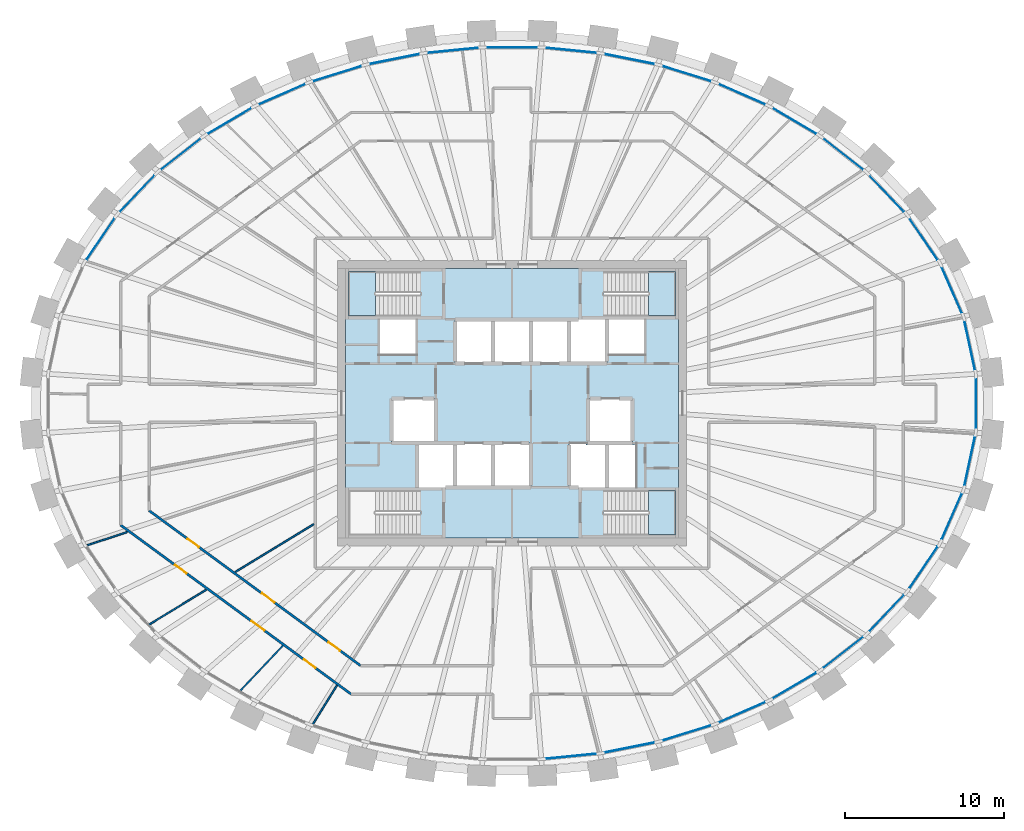
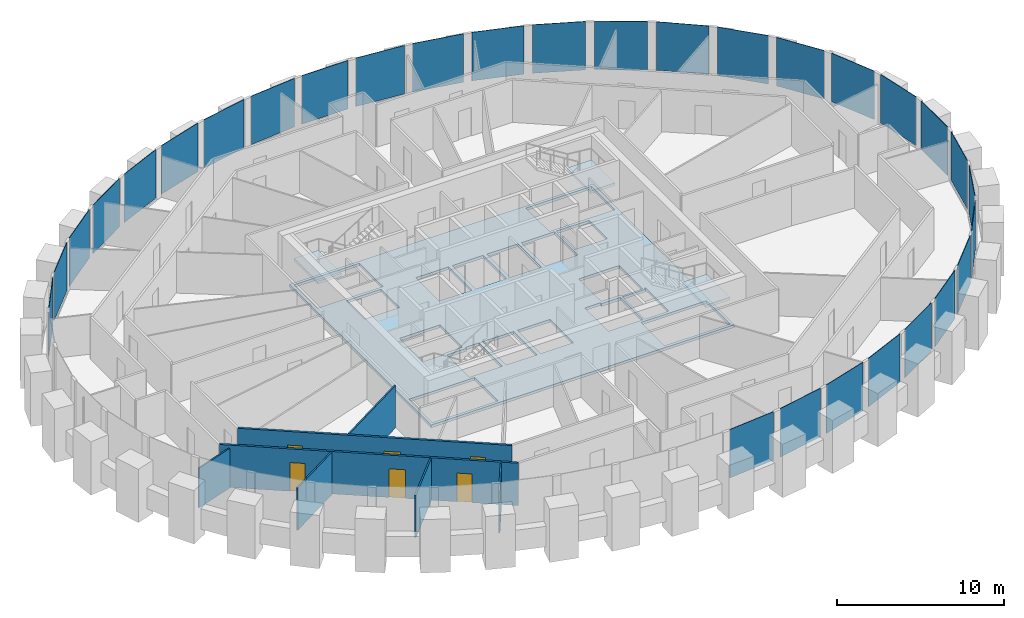
# One storey, part 5 of 11: 30 plates, 7 walls, 6 doors, 4 slabs, 6 openings, 4 elements without a shape of their own.
"""IFC4 building model written with IfcOpenShell, lengths in metres."""

from ifc_helpers import new_model, si_unit, direction, frame, frame_2d, origin, origin_2d, place, context, subcontext, project, spatial, polyline, rectangle, outline, extrude, source, transform, mapped, material, layer, layer_set, type_object, element, fill, aggregate, save


model = new_model("IFC4")

# Units and contexts
model_context = context("Model", 3, precision=1e-05, world=origin(), true_north=direction((0.0, 1.0)))
body_context = subcontext(model_context, "Body", "Model", "MODEL_VIEW")
ifc_project = project(units=[si_unit("LENGTHUNIT", "METRE"), si_unit("AREAUNIT", "SQUARE_METRE"), si_unit("VOLUMEUNIT", "CUBIC_METRE"), si_unit("PLANEANGLEUNIT", "RADIAN"), si_unit("MASSUNIT", "GRAM", prefix="KILO")], contexts=[model_context])

# Site, building, storey
site_placement = place(None, origin())
site = spatial("IfcSite", under=ifc_project, at=site_placement, CompositionType="ELEMENT")
building_placement = place(site_placement, origin())
building = spatial("IfcBuilding", under=site, at=building_placement, Name="Embergate Tower", CompositionType="ELEMENT")
storey_placement = place(building_placement, frame((0.0, 0.0, 305.199951171875)))
storey = spatial("IfcBuildingStorey", under=building, at=storey_placement, Name="L71", CompositionType="ELEMENT", Elevation=305.199951171875)

# Curtain wall, plates
ifc_material_1 = material(Name="Aluminium and glass", Category="aluminium")
curtain_wall_type = type_object("IfcCurtainWallType", Name="Recessed office glazing", PredefinedType="NOTDEFINED", material=ifc_material_1)
curtain_wall_placement = place(storey_placement, origin())
curtain_wall = element("IfcCurtainWall", 1, at=curtain_wall_placement, inside=storey, type_object=curtain_wall_type, Name="Recessed office glazing ring", ObjectType="RECESSED OFFICE GLAZING", PredefinedType="USERDEFINED")
ifc_material_2 = material(Name="Triple glazing, low-emissivity coating", Category="glass")
ifc_layer_1 = layer(ifc_material_2, 0.035888671875)
ifc_layer_set_1 = layer_set([ifc_layer_1], Name="Triple glazing, low-emissivity coating")
plate_type = type_object("IfcPlateType", Name="Office glazing unit", PredefinedType="CURTAIN_PANEL", material=ifc_layer_set_1)
shared_shape_1 = source(origin(), body_context, "Body", "SweptSolid", [
    extrude(rectangle(XDim=3.1650390625, YDim=0.035888671875, at=origin_2d()), origin(), (0.0, 0.0, 1.0), 3.550048828125),
])
plate_1_placement = place(storey_placement, frame((28.86474609375, 3.642578125, 0.14990234375), z_axis=(0.0, 0.0, 1.0), x_axis=(-0.210398391177, 0.97761573074, 0.0)))
plate_1 = element("IfcPlate", 2, at=plate_1_placement, type_object=plate_type, Name="CW panel 1.1", PredefinedType="CURTAIN_PANEL", context=body_context, shape_type="MappedRepresentation", body=[
    mapped(shared_shape_1, transform((0.0, 0.0, 0.0))),
])
plate_2_placement = place(storey_placement, frame((28.86474609375, -3.642578125, 0.14990234375), z_axis=(0.0, 0.0, 1.0), x_axis=(0.210398391177, 0.97761573074, 0.0)))
plate_2 = element("IfcPlate", 3, at=plate_2_placement, type_object=plate_type, Name="CW panel 43.1", PredefinedType="CURTAIN_PANEL", context=body_context, shape_type="MappedRepresentation", body=[
    mapped(shared_shape_1, transform((0.0, 0.0, 0.0))),
])
shared_shape_2 = source(origin(), body_context, "Body", "SweptSolid", [
    extrude(rectangle(XDim=3.171875, YDim=0.035888671875, at=origin_2d()), origin(), (0.0, 0.0, 1.0), 3.550048828125),
])
plate_3_placement = place(storey_placement, frame((27.735595703125, 7.134521484375, 0.14990234375), z_axis=(0.0, 0.0, 1.0), x_axis=(-0.401652101157, 0.91579232888, 0.0)))
plate_3 = element("IfcPlate", 4, at=plate_3_placement, type_object=plate_type, Name="CW panel 2.1", PredefinedType="CURTAIN_PANEL", context=body_context, shape_type="MappedRepresentation", body=[
    mapped(shared_shape_2, transform((0.0, 0.0, 0.0))),
])
plate_4_placement = place(storey_placement, frame((27.735595703125, -7.134521484375, 0.14990234375), z_axis=(0.0, 0.0, 1.0), x_axis=(0.401652101157, 0.91579232888, 0.0)))
plate_4 = element("IfcPlate", 5, at=plate_4_placement, type_object=plate_type, Name="CW panel 42.1", PredefinedType="CURTAIN_PANEL", context=body_context, shape_type="MappedRepresentation", body=[
    mapped(shared_shape_2, transform((0.0, 0.0, 0.0))),
])
shared_shape_3 = source(origin(), body_context, "Body", "SweptSolid", [
    extrude(rectangle(XDim=3.180419921875, YDim=0.035888671875, at=origin_2d()), origin(), (0.0, 0.0, 1.0), 3.550048828125),
])
plate_5_placement = place(storey_placement, frame((25.95361328125, 10.354736328125, 0.14990234375), z_axis=(0.0, 0.0, 1.0), x_axis=(-0.562341741915, 0.826904931234, 0.0)))
plate_5 = element("IfcPlate", 6, at=plate_5_placement, type_object=plate_type, Name="CW panel 3.1", PredefinedType="CURTAIN_PANEL", context=body_context, shape_type="MappedRepresentation", body=[
    mapped(shared_shape_3, transform((0.0, 0.0, 0.0))),
])
plate_6_placement = place(storey_placement, frame((-25.95361328125, 10.354736328125, 0.14990234375), z_axis=(0.0, 0.0, 1.0), x_axis=(-0.562341741915, -0.826904931234, 0.0)))
plate_6 = element("IfcPlate", 7, at=plate_6_placement, type_object=plate_type, Name="CW panel 19.1", PredefinedType="CURTAIN_PANEL", context=body_context, shape_type="MappedRepresentation", body=[
    mapped(shared_shape_3, transform((0.0, 0.0, 0.0))),
])
plate_7_placement = place(storey_placement, frame((25.95361328125, -10.354736328125, 0.14990234375), z_axis=(0.0, 0.0, 1.0), x_axis=(0.562341741915, 0.826904931234, 0.0)))
plate_7 = element("IfcPlate", 8, at=plate_7_placement, type_object=plate_type, Name="CW panel 41.1", PredefinedType="CURTAIN_PANEL", context=body_context, shape_type="MappedRepresentation", body=[
    mapped(shared_shape_3, transform((0.0, 0.0, 0.0))),
])
shared_shape_4 = source(origin(), body_context, "Body", "SweptSolid", [
    extrude(rectangle(XDim=3.188720703125, YDim=0.035888671875, at=origin_2d()), origin(), (0.0, 0.0, 1.0), 3.550048828125),
])
plate_8_placement = place(storey_placement, frame((23.633544921875, 13.226806640625, 0.14990234375), z_axis=(0.0, 0.0, 1.0), x_axis=(-0.6901325214, 0.723683012724, 0.0)))
plate_8 = element("IfcPlate", 9, at=plate_8_placement, type_object=plate_type, Name="CW panel 4.1", PredefinedType="CURTAIN_PANEL", context=body_context, shape_type="MappedRepresentation", body=[
    mapped(shared_shape_4, transform((0.0, 0.0, 0.0))),
])
plate_9_placement = place(storey_placement, frame((-23.633544921875, 13.226806640625, 0.14990234375), z_axis=(0.0, 0.0, 1.0), x_axis=(-0.6901325214, -0.723683012724, 0.0)))
plate_9 = element("IfcPlate", 10, at=plate_9_placement, type_object=plate_type, Name="CW panel 18.1", PredefinedType="CURTAIN_PANEL", context=body_context, shape_type="MappedRepresentation", body=[
    mapped(shared_shape_4, transform((0.0, 0.0, 0.0))),
])
plate_10_placement = place(storey_placement, frame((23.633544921875, -13.226806640625, 0.14990234375), z_axis=(0.0, 0.0, 1.0), x_axis=(0.6901325214, 0.723683012724, 0.0)))
plate_10 = element("IfcPlate", 11, at=plate_10_placement, type_object=plate_type, Name="CW panel 40.1", PredefinedType="CURTAIN_PANEL", context=body_context, shape_type="MappedRepresentation", body=[
    mapped(shared_shape_4, transform((0.0, 0.0, 0.0))),
])
shared_shape_5 = source(origin(), body_context, "Body", "SweptSolid", [
    extrude(rectangle(XDim=3.196044921875, YDim=0.035888671875, at=origin_2d()), origin(), (0.0, 0.0, 1.0), 3.550048828125),
])
plate_11_placement = place(storey_placement, frame((20.888916015625, 15.7119140625, 0.14990234375), z_axis=(0.0, 0.0, 1.0), x_axis=(-0.788317971569, 0.615268051911, 0.0)))
plate_11 = element("IfcPlate", 12, at=plate_11_placement, type_object=plate_type, Name="CW panel 5.1", PredefinedType="CURTAIN_PANEL", context=body_context, shape_type="MappedRepresentation", body=[
    mapped(shared_shape_5, transform((0.0, 0.0, 0.0))),
])
plate_12_placement = place(storey_placement, frame((-20.888916015625, 15.7119140625, 0.14990234375), z_axis=(0.0, 0.0, 1.0), x_axis=(-0.788317971569, -0.615268051911, 0.0)))
plate_12 = element("IfcPlate", 13, at=plate_12_placement, type_object=plate_type, Name="CW panel 17.1", PredefinedType="CURTAIN_PANEL", context=body_context, shape_type="MappedRepresentation", body=[
    mapped(shared_shape_5, transform((0.0, 0.0, 0.0))),
])
plate_13_placement = place(storey_placement, frame((20.888916015625, -15.7119140625, 0.14990234375), z_axis=(0.0, 0.0, 1.0), x_axis=(0.788317971569, 0.615268051911, 0.0)))
plate_13 = element("IfcPlate", 14, at=plate_13_placement, type_object=plate_type, Name="CW panel 39.1", PredefinedType="CURTAIN_PANEL", context=body_context, shape_type="MappedRepresentation", body=[
    mapped(shared_shape_5, transform((0.0, 0.0, 0.0))),
])
shared_shape_6 = source(origin(), body_context, "Body", "SweptSolid", [
    extrude(rectangle(XDim=3.201904296875, YDim=0.035888671875, at=origin_2d()), origin(), (0.0, 0.0, 1.0), 3.550048828125),
])
plate_14_placement = place(storey_placement, frame((17.820068359375, 17.79833984375, 0.14990234375), z_axis=(0.0, 0.0, 1.0), x_axis=(-0.862050514108, 0.506822366443, 0.0)))
plate_14 = element("IfcPlate", 15, at=plate_14_placement, type_object=plate_type, Name="CW panel 6.1", PredefinedType="CURTAIN_PANEL", context=body_context, shape_type="MappedRepresentation", body=[
    mapped(shared_shape_6, transform((0.0, 0.0, 0.0))),
])
plate_15_placement = place(storey_placement, frame((-17.820068359375, 17.79833984375, 0.14990234375), z_axis=(0.0, 0.0, 1.0), x_axis=(-0.862050514108, -0.506822366443, 0.0)))
plate_15 = element("IfcPlate", 16, at=plate_15_placement, type_object=plate_type, Name="CW panel 16.1", PredefinedType="CURTAIN_PANEL", context=body_context, shape_type="MappedRepresentation", body=[
    mapped(shared_shape_6, transform((0.0, 0.0, 0.0))),
])
plate_16_placement = place(storey_placement, frame((17.820068359375, -17.79833984375, 0.14990234375), z_axis=(0.0, 0.0, 1.0), x_axis=(0.862050514108, 0.506822366443, 0.0)))
plate_16 = element("IfcPlate", 17, at=plate_16_placement, type_object=plate_type, Name="CW panel 38.1", PredefinedType="CURTAIN_PANEL", context=body_context, shape_type="MappedRepresentation", body=[
    mapped(shared_shape_6, transform((0.0, 0.0, 0.0))),
])
shared_shape_7 = source(origin(), body_context, "Body", "SweptSolid", [
    extrude(rectangle(XDim=3.206298828125, YDim=0.035888671875, at=origin_2d()), origin(), (0.0, 0.0, 1.0), 3.550048828125),
])
plate_17_placement = place(storey_placement, frame((14.508544921875, 19.488037109375, 0.14990234375), z_axis=(0.0, 0.0, 1.0), x_axis=(-0.91623411399, 0.400643293168, 0.0)))
plate_17 = element("IfcPlate", 18, at=plate_17_placement, type_object=plate_type, Name="CW panel 7.1", PredefinedType="CURTAIN_PANEL", context=body_context, shape_type="MappedRepresentation", body=[
    mapped(shared_shape_7, transform((0.0, 0.0, 0.0))),
])
plate_18_placement = place(storey_placement, frame((-14.508544921875, 19.488037109375, 0.14990234375), z_axis=(0.0, 0.0, 1.0), x_axis=(-0.91623411399, -0.400643293168, 0.0)))
plate_18 = element("IfcPlate", 19, at=plate_18_placement, type_object=plate_type, Name="CW panel 15.1", PredefinedType="CURTAIN_PANEL", context=body_context, shape_type="MappedRepresentation", body=[
    mapped(shared_shape_7, transform((0.0, 0.0, 0.0))),
])
plate_19_placement = place(storey_placement, frame((14.508544921875, -19.488037109375, 0.14990234375), z_axis=(0.0, 0.0, 1.0), x_axis=(0.91623411399, 0.400643293168, 0.0)))
plate_19 = element("IfcPlate", 20, at=plate_19_placement, type_object=plate_type, Name="CW panel 37.1", PredefinedType="CURTAIN_PANEL", context=body_context, shape_type="MappedRepresentation", body=[
    mapped(shared_shape_7, transform((0.0, 0.0, 0.0))),
])
shared_shape_8 = source(origin(), body_context, "Body", "SweptSolid", [
    extrude(rectangle(XDim=3.209716796875, YDim=0.035888671875, at=origin_2d()), origin(), (0.0, 0.0, 1.0), 3.550048828125),
])
plate_20_placement = place(storey_placement, frame((11.02099609375, 20.788818359375, 0.14990234375), z_axis=(0.0, 0.0, 1.0), x_axis=(-0.954771179262, 0.297341546458, 0.0)))
plate_20 = element("IfcPlate", 21, at=plate_20_placement, type_object=plate_type, Name="CW panel 8.1", PredefinedType="CURTAIN_PANEL", context=body_context, shape_type="MappedRepresentation", body=[
    mapped(shared_shape_8, transform((0.0, 0.0, 0.0))),
])
plate_21_placement = place(storey_placement, frame((-11.02099609375, 20.788818359375, 0.14990234375), z_axis=(0.0, 0.0, 1.0), x_axis=(-0.954771179262, -0.297341546458, 0.0)))
plate_21 = element("IfcPlate", 22, at=plate_21_placement, type_object=plate_type, Name="CW panel 14.1", PredefinedType="CURTAIN_PANEL", context=body_context, shape_type="MappedRepresentation", body=[
    mapped(shared_shape_8, transform((0.0, 0.0, 0.0))),
])
plate_22_placement = place(storey_placement, frame((11.02099609375, -20.788818359375, 0.14990234375), z_axis=(0.0, 0.0, 1.0), x_axis=(0.954771179262, 0.297341546458, 0.0)))
plate_22 = element("IfcPlate", 23, at=plate_22_placement, type_object=plate_type, Name="CW panel 36.1", PredefinedType="CURTAIN_PANEL", context=body_context, shape_type="MappedRepresentation", body=[
    mapped(shared_shape_8, transform((0.0, 0.0, 0.0))),
])
shared_shape_9 = source(origin(), body_context, "Body", "SweptSolid", [
    extrude(rectangle(XDim=3.211669921875, YDim=0.035888671875, at=origin_2d()), origin(), (0.0, 0.0, 1.0), 3.550048828125),
])
plate_23_placement = place(storey_placement, frame((7.4111328125, 21.710205078125, 0.14990234375), z_axis=(0.0, 0.0, 1.0), x_axis=(-0.980475221003, 0.196642673395, 0.0)))
plate_23 = element("IfcPlate", 24, at=plate_23_placement, type_object=plate_type, Name="CW panel 9.1", PredefinedType="CURTAIN_PANEL", context=body_context, shape_type="MappedRepresentation", body=[
    mapped(shared_shape_9, transform((0.0, 0.0, 0.0))),
])
plate_24_placement = place(storey_placement, frame((-7.4111328125, 21.710205078125, 0.14990234375), z_axis=(0.0, 0.0, 1.0), x_axis=(-0.980475221003, -0.196642673395, 0.0)))
plate_24 = element("IfcPlate", 25, at=plate_24_placement, type_object=plate_type, Name="CW panel 13.1", PredefinedType="CURTAIN_PANEL", context=body_context, shape_type="MappedRepresentation", body=[
    mapped(shared_shape_9, transform((0.0, 0.0, 0.0))),
])
plate_25_placement = place(storey_placement, frame((7.4111328125, -21.710205078125, 0.14990234375), z_axis=(0.0, 0.0, 1.0), x_axis=(0.980475221003, 0.196642673395, 0.0)))
plate_25 = element("IfcPlate", 26, at=plate_25_placement, type_object=plate_type, Name="CW panel 35.1", PredefinedType="CURTAIN_PANEL", context=body_context, shape_type="MappedRepresentation", body=[
    mapped(shared_shape_9, transform((0.0, 0.0, 0.0))),
])
shared_shape_10 = source(origin(), body_context, "Body", "SweptSolid", [
    extrude(rectangle(XDim=3.212890625, YDim=0.035888671875, at=origin_2d()), origin(), (0.0, 0.0, 1.0), 3.550048828125),
])
plate_26_placement = place(storey_placement, frame((3.72412109375, 22.259765625, 0.14990234375), z_axis=(0.0, 0.0, 1.0), x_axis=(-0.995203014042, 0.097831287645, 0.0)))
plate_26 = element("IfcPlate", 27, at=plate_26_placement, type_object=plate_type, Name="CW panel 10.1", PredefinedType="CURTAIN_PANEL", context=body_context, shape_type="MappedRepresentation", body=[
    mapped(shared_shape_10, transform((0.0, 0.0, 0.0))),
])
plate_27_placement = place(storey_placement, frame((-3.72412109375, 22.259765625, 0.14990234375), z_axis=(0.0, 0.0, 1.0), x_axis=(-0.995203014042, -0.097831287645, 0.0)))
plate_27 = element("IfcPlate", 28, at=plate_27_placement, type_object=plate_type, Name="CW panel 12.1", PredefinedType="CURTAIN_PANEL", context=body_context, shape_type="MappedRepresentation", body=[
    mapped(shared_shape_10, transform((0.0, 0.0, 0.0))),
])
plate_28_placement = place(storey_placement, frame((3.72412109375, -22.259765625, 0.14990234375), z_axis=(0.0, 0.0, 1.0), x_axis=(0.995203014042, 0.097831287645, 0.0)))
plate_28 = element("IfcPlate", 29, at=plate_28_placement, type_object=plate_type, Name="CW panel 34.1", PredefinedType="CURTAIN_PANEL", context=body_context, shape_type="MappedRepresentation", body=[
    mapped(shared_shape_10, transform((0.0, 0.0, 0.0))),
])
shared_shape_11 = source(origin(), body_context, "Body", "SweptSolid", [
    extrude(rectangle(XDim=3.21337890625, YDim=0.035888671875, at=origin_2d()), origin(), (0.0, 0.0, 1.0), 3.550048828125),
])
plate_29_placement = place(storey_placement, frame((0.0, 22.4423828125, 0.14990234375), z_axis=(0.0, 0.0, 1.0), x_axis=(-1.0, 0.0, 0.0)))
plate_29 = element("IfcPlate", 30, at=plate_29_placement, type_object=plate_type, Name="CW panel 11.1", PredefinedType="CURTAIN_PANEL", context=body_context, shape_type="MappedRepresentation", body=[
    mapped(shared_shape_11, transform((0.0, 0.0, 0.0))),
])
shared_shape_12 = source(origin(), body_context, "Body", "SweptSolid", [
    extrude(rectangle(XDim=3.16259765625, YDim=0.035888671875, at=origin_2d()), origin(), (0.0, 0.0, 1.0), 3.550048828125),
])
plate_30_placement = place(storey_placement, frame((29.252197265625, 0.0, 0.14990234375), z_axis=(0.0, 0.0, 1.0), x_axis=(0.0, 1.0, 0.0)))
plate_30 = element("IfcPlate", 31, at=plate_30_placement, type_object=plate_type, Name="CW panel 44.1", PredefinedType="CURTAIN_PANEL", context=body_context, shape_type="MappedRepresentation", body=[
    mapped(shared_shape_12, transform((0.0, 0.0, 0.0))),
])
aggregate(curtain_wall, [plate_1, plate_3, plate_5, plate_8, plate_11, plate_14, plate_17, plate_20, plate_23, plate_26, plate_29, plate_27, plate_24, plate_21, plate_18, plate_15, plate_12, plate_9, plate_6, plate_28, plate_25, plate_22, plate_19, plate_16, plate_13, plate_10, plate_7, plate_4, plate_2, plate_30])

# Stair, slab
ifc_material_3 = material(Name="Exit stair")
stair_type = type_object("IfcStairType", Name="Exit stair", PredefinedType="HALF_TURN_STAIR", material=ifc_material_3)
stair_1_placement = place(storey_placement, origin())
stair_1 = element("IfcStair", 32, at=stair_1_placement, inside=storey, type_object=stair_type, Name="L71 Exit stair 1", PredefinedType="HALF_TURN_STAIR")
ifc_material_4 = material(Name="Concrete C40", Category="concrete")
ifc_layer_2 = layer(ifc_material_4, 0.199951171875)
ifc_layer_set_2 = layer_set([ifc_layer_2], Name="Concrete C40")
slab_type_1 = type_object("IfcSlabType", Name="Stair landing reinforced concrete", PredefinedType="LANDING", material=ifc_layer_set_2)
shared_shape_13 = source(origin(), body_context, "Body", "SweptSolid", [
    extrude(outline(polyline([(0.0, 0.0), (1.68994140625, 0.0), (1.68994140625, 2.800048828125), (0.0, 2.800048828125), (0.0, 0.0)])), origin(), (0.0, 0.0, 1.0), 0.199951171875),
])
slab_1_placement = place(storey_placement, frame((-10.300048828125, 5.5, 1.75)))
slab_1 = element("IfcSlab", 33, at=slab_1_placement, type_object=slab_type_1, Name="ST1 landing 1", PredefinedType="LANDING", context=body_context, shape_type="MappedRepresentation", body=[
    mapped(shared_shape_13, transform((0.0, 0.0, 0.0))),
])
aggregate(stair_1, [slab_1])

stair_2_placement = place(storey_placement, origin())
stair_2 = element("IfcStair", 34, at=stair_2_placement, inside=storey, type_object=stair_type, Name="L71 Exit stair 2", PredefinedType="HALF_TURN_STAIR")
slab_2_placement = place(storey_placement, frame((8.610107421875, 5.5, 1.75)))
slab_2 = element("IfcSlab", 35, at=slab_2_placement, type_object=slab_type_1, Name="ST2 landing 1", PredefinedType="LANDING", context=body_context, shape_type="MappedRepresentation", body=[
    mapped(shared_shape_13, transform((0.0, 0.0, 0.0))),
])
aggregate(stair_2, [slab_2])

stair_3_placement = place(storey_placement, origin())
stair_3 = element("IfcStair", 36, at=stair_3_placement, inside=storey, type_object=stair_type, Name="L71 Exit stair 4", PredefinedType="HALF_TURN_STAIR")
slab_3_placement = place(storey_placement, frame((8.610107421875, -8.300048828125, 1.75)))
slab_3 = element("IfcSlab", 37, at=slab_3_placement, type_object=slab_type_1, Name="ST4 landing 1", PredefinedType="LANDING", context=body_context, shape_type="MappedRepresentation", body=[
    mapped(shared_shape_13, transform((0.0, 0.0, 0.0))),
])
aggregate(stair_3, [slab_3])

# Slab
ifc_layer_3 = layer(ifc_material_4, 0.199951171875)
ifc_layer_set_3 = layer_set([ifc_layer_3], Name="Concrete C40")
slab_type_2 = type_object("IfcSlabType", Name="Core floor slab 200 reinforced concrete", PredefinedType="FLOOR", material=ifc_layer_set_3)
shared_shape_14 = source(origin(), body_context, "Body", "SweptSolid", [
    extrude(outline(polyline([(0.0, 0.0), (21.0, 0.0), (21.0, 17.0), (0.0, 17.0), (0.0, 0.0)]), holes=[polyline([(0.199951171875, 0.199951171875), (0.199951171875, 3.0), (4.739990234375, 3.0), (4.739990234375, 0.199951171875), (0.199951171875, 0.199951171875)]), polyline([(16.260009765625, 0.199951171875), (16.260009765625, 3.0), (20.800048828125, 3.0), (20.800048828125, 0.199951171875), (16.260009765625, 0.199951171875)]), polyline([(4.5, 3.199951171875), (4.5, 5.875), (5.824951171875, 5.875), (5.824951171875, 6.0), (6.77490234375, 6.0), (6.77490234375, 3.199951171875), (4.5, 3.199951171875)]), polyline([(7.02490234375, 3.199951171875), (7.02490234375, 6.0), (9.175048828125, 6.0), (9.175048828125, 3.199951171875), (7.02490234375, 3.199951171875)]), polyline([(9.425048828125, 3.199951171875), (9.425048828125, 6.0), (11.699951171875, 6.0), (11.699951171875, 3.199951171875), (9.425048828125, 3.199951171875)]), polyline([(14.10009765625, 3.199951171875), (14.10009765625, 6.0), (15.175048828125, 6.0), (15.175048828125, 5.875), (16.5, 5.875), (16.5, 3.199951171875), (14.10009765625, 3.199951171875)]), polyline([(16.625, 3.199951171875), (16.625, 5.875), (18.22509765625, 5.875), (18.22509765625, 6.0), (18.300048828125, 6.0), (18.300048828125, 3.199951171875), (16.625, 3.199951171875)]), polyline([(2.89990234375, 6.0), (2.89990234375, 8.800048828125), (5.699951171875, 8.800048828125), (5.699951171875, 6.125), (4.375, 6.125), (4.375, 6.0), (2.89990234375, 6.0)]), polyline([(16.625, 6.0), (16.625, 6.125), (15.300048828125, 6.125), (15.300048828125, 8.800048828125), (18.10009765625, 8.800048828125), (18.10009765625, 6.0), (16.625, 6.0)]), polyline([(6.89990234375, 11.0), (6.89990234375, 13.800048828125), (9.175048828125, 13.800048828125), (9.175048828125, 11.0), (6.89990234375, 11.0)]), polyline([(9.425048828125, 11.0), (9.425048828125, 13.800048828125), (11.574951171875, 13.800048828125), (11.574951171875, 11.0), (9.425048828125, 11.0)]), polyline([(11.824951171875, 11.0), (11.824951171875, 13.800048828125), (13.97509765625, 13.800048828125), (13.97509765625, 11.0), (11.824951171875, 11.0)]), polyline([(14.22509765625, 11.0), (14.22509765625, 13.800048828125), (16.5, 13.800048828125), (16.5, 11.0), (14.22509765625, 11.0)]), polyline([(2.10009765625, 11.60009765625), (2.10009765625, 13.800048828125), (4.5, 13.800048828125), (4.5, 11.60009765625), (2.10009765625, 11.60009765625)]), polyline([(16.625, 11.60009765625), (16.625, 13.800048828125), (18.89990234375, 13.800048828125), (18.89990234375, 11.60009765625), (16.625, 11.60009765625)]), polyline([(0.199951171875, 14.0), (0.199951171875, 16.800048828125), (4.739990234375, 16.800048828125), (4.739990234375, 14.0), (0.199951171875, 14.0)]), polyline([(16.260009765625, 14.0), (16.260009765625, 16.800048828125), (20.800048828125, 16.800048828125), (20.800048828125, 14.0), (16.260009765625, 14.0)])]), origin(), (0.0, 0.0, 1.0), 0.199951171875),
])
slab_4_placement = place(storey_placement, frame((-10.5, -8.5, -0.199951171875)))
element("IfcSlab", 38, at=slab_4_placement, inside=storey, type_object=slab_type_2, Name="Core floor slab", PredefinedType="FLOOR", context=body_context, shape_type="MappedRepresentation", body=[
    mapped(shared_shape_14, transform((0.0, 0.0, 0.0))),
])

# Wall, openings, doors
ifc_material_5 = material(Name="Corridor wall dry-lined 150")
ifc_layer_4 = layer(ifc_material_5, 0.14990234375)
ifc_layer_set_4 = layer_set([ifc_layer_4], Name="Corridor wall dry-lined 150")
wall_type_1 = type_object("IfcWallType", Name="Corridor wall dry-lined 150", PredefinedType="PARTITIONING", material=ifc_layer_set_4)
shared_shape_15 = source(origin(), body_context, "Body", "SweptSolid", [
    extrude(rectangle(XDim=18.027099609375, YDim=0.14990234375, at=frame_2d((9.013671875, 0.0))), origin(), (0.0, 0.0, 1.0), 3.10009765625),
])
wall_1_placement = place(storey_placement, frame((-10.14501953125, -18.341064453125, 0.0), z_axis=(0.0, 0.0, 1.0), x_axis=(-0.80638475932, 0.591391257914, 0.0)))
wall_1 = element("IfcWall", 39, at=wall_1_placement, inside=storey, type_object=wall_type_1, Name="IP-2 wall", PredefinedType="PARTITIONING", context=body_context, shape_type="MappedRepresentation", body=[
    mapped(shared_shape_15, transform((0.0, 0.0, 0.0))),
])
shared_shape_16 = source(origin(), body_context, "Body", "SweptSolid", [
    extrude(rectangle(XDim=0.89990234375, YDim=2.10009765625, at=frame_2d((0.449951171875, 1.050048828125))), frame((0.0, 0.0849609375, 0.0), z_axis=(0.0, -1.0, 0.0), x_axis=(1.0, 0.0, 0.0)), (0.0, 0.0, 1.0), 0.169921875),
])
opening_1_placement = place(wall_1_placement, frame((12.8671875, 0.0, 0.0)))
opening_1 = element("IfcOpeningElement", 40, at=opening_1_placement, cuts=wall_1, Name="Opening IF-1c", PredefinedType="OPENING", context=body_context, shape_type="MappedRepresentation", body=[
    mapped(shared_shape_16, transform((0.0, 0.0, 0.0))),
])
shared_shape_17 = source(origin(), body_context, "Body", "SweptSolid", [
    extrude(rectangle(XDim=1.0, YDim=2.10009765625, at=frame_2d((0.5, 1.050048828125))), frame((0.0, 0.0849609375, 0.0), z_axis=(0.0, -1.0, 0.0), x_axis=(1.0, 0.0, 0.0)), (0.0, 0.0, 1.0), 0.169921875),
])
opening_2_placement = place(wall_1_placement, frame((6.787841796875, 0.0, 0.0)))
opening_2 = element("IfcOpeningElement", 41, at=opening_2_placement, cuts=wall_1, Name="Opening ID-2", PredefinedType="OPENING", context=body_context, shape_type="MappedRepresentation", body=[
    mapped(shared_shape_17, transform((0.0, 0.0, 0.0))),
])
opening_3_placement = place(wall_1_placement, frame((2.79345703125, 0.0, 0.0)))
opening_3 = element("IfcOpeningElement", 42, at=opening_3_placement, cuts=wall_1, Name="Opening IF-1c", PredefinedType="OPENING", context=body_context, shape_type="MappedRepresentation", body=[
    mapped(shared_shape_16, transform((0.0, 0.0, 0.0))),
])
ifc_material_6 = material(Name="Escape fire door 900")
door_type_1 = type_object("IfcDoorType", Name="Escape fire door 900", OperationType="SINGLE_SWING_LEFT", PredefinedType="DOOR", material=ifc_material_6)
shared_shape_18 = source(origin(), body_context, "Body", "SweptSolid", [
    extrude(rectangle(XDim=0.89990234375, YDim=2.10009765625, at=frame_2d((0.449951171875, 1.050048828125))), frame((0.0, 0.02490234375, 0.0), z_axis=(0.0, -1.0, 0.0), x_axis=(1.0, 0.0, 0.0)), (0.0, 0.0, 1.0), 0.050048828125),
])
door_1_placement = place(opening_1_placement, origin())
door_1 = element("IfcDoor", 43, at=door_1_placement, inside=storey, type_object=door_type_1, Name="IF-1 door", OperationType="SINGLE_SWING_RIGHT", OverallHeight=2.10009765625, OverallWidth=0.89990234375, PredefinedType="DOOR", context=body_context, shape_type="MappedRepresentation", body=[
    mapped(shared_shape_18, transform((0.0, 0.0, 0.0))),
])
fill(opening_1, door_1)
door_2_placement = place(opening_3_placement, origin())
door_2 = element("IfcDoor", 44, at=door_2_placement, inside=storey, type_object=door_type_1, Name="IF-1 door", OperationType="SINGLE_SWING_LEFT", OverallHeight=2.10009765625, OverallWidth=0.89990234375, PredefinedType="DOOR", context=body_context, shape_type="MappedRepresentation", body=[
    mapped(shared_shape_18, transform((0.0, 0.0, 0.0))),
])
fill(opening_3, door_2)
ifc_material_7 = material(Name="Interior door 1000")
door_type_2 = type_object("IfcDoorType", Name="Interior door 1000", OperationType="SINGLE_SWING_LEFT", PredefinedType="DOOR", material=ifc_material_7)
shared_shape_19 = source(origin(), body_context, "Body", "SweptSolid", [
    extrude(rectangle(XDim=1.0, YDim=2.10009765625, at=frame_2d((0.5, 1.050048828125))), frame((0.0, 0.02490234375, 0.0), z_axis=(0.0, -1.0, 0.0), x_axis=(1.0, 0.0, 0.0)), (0.0, 0.0, 1.0), 0.050048828125),
])
door_3_placement = place(opening_2_placement, origin())
door_3 = element("IfcDoor", 45, at=door_3_placement, inside=storey, type_object=door_type_2, Name="ID-2 door", OperationType="SINGLE_SWING_LEFT", OverallHeight=2.10009765625, OverallWidth=1.0, PredefinedType="DOOR", context=body_context, shape_type="MappedRepresentation", body=[
    mapped(shared_shape_19, transform((0.0, 0.0, 0.0))),
])
fill(opening_2, door_3)

shared_shape_20 = source(origin(), body_context, "Body", "SweptSolid", [
    extrude(rectangle(XDim=16.525634765625, YDim=0.14990234375, at=frame_2d((8.2626953125, 0.0))), origin(), (0.0, 0.0, 1.0), 3.10009765625),
])
wall_2_placement = place(storey_placement, frame((-9.555908203125, -16.541015625, 0.0), z_axis=(0.0, 0.0, 1.0), x_axis=(-0.806392784122, 0.591380315631, 0.0)))
wall_2 = element("IfcWall", 46, at=wall_2_placement, inside=storey, type_object=wall_type_1, Name="IP-2 wall", PredefinedType="PARTITIONING", context=body_context, shape_type="MappedRepresentation", body=[
    mapped(shared_shape_20, transform((0.0, 0.0, 0.0))),
])
opening_4_placement = place(wall_2_placement, frame((12.61572265625, 0.0, 0.0)))
opening_4 = element("IfcOpeningElement", 47, at=opening_4_placement, cuts=wall_2, Name="Opening IF-1c", PredefinedType="OPENING", context=body_context, shape_type="MappedRepresentation", body=[
    mapped(shared_shape_16, transform((0.0, 0.0, 0.0))),
])
opening_5_placement = place(wall_2_placement, frame((6.71142578125, 0.0, 0.0)))
opening_5 = element("IfcOpeningElement", 48, at=opening_5_placement, cuts=wall_2, Name="Opening ID-2", PredefinedType="OPENING", context=body_context, shape_type="MappedRepresentation", body=[
    mapped(shared_shape_17, transform((0.0, 0.0, 0.0))),
])
opening_6_placement = place(wall_2_placement, frame((1.585205078125, 0.0, 0.0)))
opening_6 = element("IfcOpeningElement", 49, at=opening_6_placement, cuts=wall_2, Name="Opening IF-1c", PredefinedType="OPENING", context=body_context, shape_type="MappedRepresentation", body=[
    mapped(shared_shape_16, transform((0.0, 0.0, 0.0))),
])
door_4_placement = place(opening_4_placement, origin())
door_4 = element("IfcDoor", 50, at=door_4_placement, inside=storey, type_object=door_type_1, Name="IF-1 door", OperationType="SINGLE_SWING_LEFT", OverallHeight=2.10009765625, OverallWidth=0.89990234375, PredefinedType="DOOR", context=body_context, shape_type="MappedRepresentation", body=[
    mapped(shared_shape_18, transform((0.0, 0.0, 0.0))),
])
fill(opening_4, door_4)
door_5_placement = place(opening_6_placement, origin())
door_5 = element("IfcDoor", 51, at=door_5_placement, inside=storey, type_object=door_type_1, Name="IF-1 door", OperationType="SINGLE_SWING_RIGHT", OverallHeight=2.10009765625, OverallWidth=0.89990234375, PredefinedType="DOOR", context=body_context, shape_type="MappedRepresentation", body=[
    mapped(shared_shape_18, transform((0.0, 0.0, 0.0))),
])
fill(opening_6, door_5)
door_6_placement = place(opening_5_placement, origin())
door_6 = element("IfcDoor", 52, at=door_6_placement, inside=storey, type_object=door_type_2, Name="ID-2 door", OperationType="SINGLE_SWING_LEFT", OverallHeight=2.10009765625, OverallWidth=1.0, PredefinedType="DOOR", context=body_context, shape_type="MappedRepresentation", body=[
    mapped(shared_shape_19, transform((0.0, 0.0, 0.0))),
])
fill(opening_5, door_6)

# Walls
ifc_material_8 = material(Name="Partition dry-lined 100")
ifc_layer_5 = layer(ifc_material_8, 0.10009765625)
ifc_layer_set_5 = layer_set([ifc_layer_5], Name="Partition dry-lined 100")
wall_type_2 = type_object("IfcWallType", Name="Partition dry-lined 100", PredefinedType="PARTITIONING", material=ifc_layer_set_5)
shared_shape_21 = source(origin(), body_context, "Body", "SweptSolid", [
    extrude(rectangle(XDim=4.292724609375, YDim=0.10009765625, at=frame_2d((2.146484375, 0.0))), origin(), (0.0, 0.0, 1.0), 3.10009765625),
])
wall_3_placement = place(storey_placement, frame((-19.281982421875, -11.757080078125, 0.0), z_axis=(0.0, 0.0, 1.0), x_axis=(-0.853787543506, -0.520621580952, 0.0)))
element("IfcWall", 53, at=wall_3_placement, inside=storey, type_object=wall_type_2, Name="IP-1 wall", PredefinedType="PARTITIONING", context=body_context, shape_type="MappedRepresentation", body=[
    mapped(shared_shape_21, transform((0.0, 0.0, 0.0))),
])
shared_shape_22 = source(origin(), body_context, "Body", "SweptSolid", [
    extrude(rectangle(XDim=2.76171875, YDim=0.10009765625, at=frame_2d((1.380859375, 0.0))), origin(), (0.0, 0.0, 1.0), 2.900146484375),
])
wall_4_placement = place(storey_placement, frame((-24.264892578125, -8.114013671875, 0.0), z_axis=(0.0, 0.0, 1.0), x_axis=(-0.948364574498, -0.317182335319, 0.0)))
element("IfcWall", 54, at=wall_4_placement, inside=storey, type_object=wall_type_2, Name="IP-1 wall", PredefinedType="PARTITIONING", context=body_context, shape_type="MappedRepresentation", body=[
    mapped(shared_shape_22, transform((0.0, 0.0, 0.0))),
])
shared_shape_23 = source(origin(), body_context, "Body", "SweptSolid", [
    extrude(rectangle(XDim=4.014404296875, YDim=0.10009765625, at=frame_2d((2.00732421875, 0.0))), origin(), (0.0, 0.0, 1.0), 3.10009765625),
])
wall_5_placement = place(storey_placement, frame((-14.449951171875, -15.283935546875, 0.0), z_axis=(0.0, 0.0, 1.0), x_axis=(-0.687034152101, -0.726625126078, 0.0)))
element("IfcWall", 55, at=wall_5_placement, inside=storey, type_object=wall_type_2, Name="IP-1 wall", PredefinedType="PARTITIONING", context=body_context, shape_type="MappedRepresentation", body=[
    mapped(shared_shape_23, transform((0.0, 0.0, 0.0))),
])
shared_shape_24 = source(origin(), body_context, "Body", "SweptSolid", [
    extrude(rectangle(XDim=2.9609375, YDim=0.10009765625, at=frame_2d((1.48046875, 0.0))), origin(), (0.0, 0.0, 1.0), 3.0),
])
wall_6_placement = place(storey_placement, frame((-11.035888671875, -17.780029296875, 0.0), z_axis=(0.0, 0.0, 1.0), x_axis=(-0.527231490146, -0.849721693143, 0.0)))
element("IfcWall", 56, at=wall_6_placement, inside=storey, type_object=wall_type_2, Name="IP-1 wall", PredefinedType="PARTITIONING", context=body_context, shape_type="MappedRepresentation", body=[
    mapped(shared_shape_24, transform((0.0, 0.0, 0.0))),
])
shared_shape_25 = source(origin(), body_context, "Body", "SweptSolid", [
    extrude(rectangle(XDim=5.791748046875, YDim=0.10009765625, at=frame_2d((2.89599609375, 0.0))), origin(), (0.0, 0.0, 1.0), 3.10009765625),
])
wall_7_placement = place(storey_placement, frame((-12.5009765625, -7.623046875, 0.0), z_axis=(0.0, 0.0, 1.0), x_axis=(-0.853826336486, -0.520557957505, 0.0)))
element("IfcWall", 57, at=wall_7_placement, inside=storey, type_object=wall_type_2, Name="IP-1 wall", PredefinedType="PARTITIONING", context=body_context, shape_type="MappedRepresentation", body=[
    mapped(shared_shape_25, transform((0.0, 0.0, 0.0))),
])

save(model, "model.ifc")
